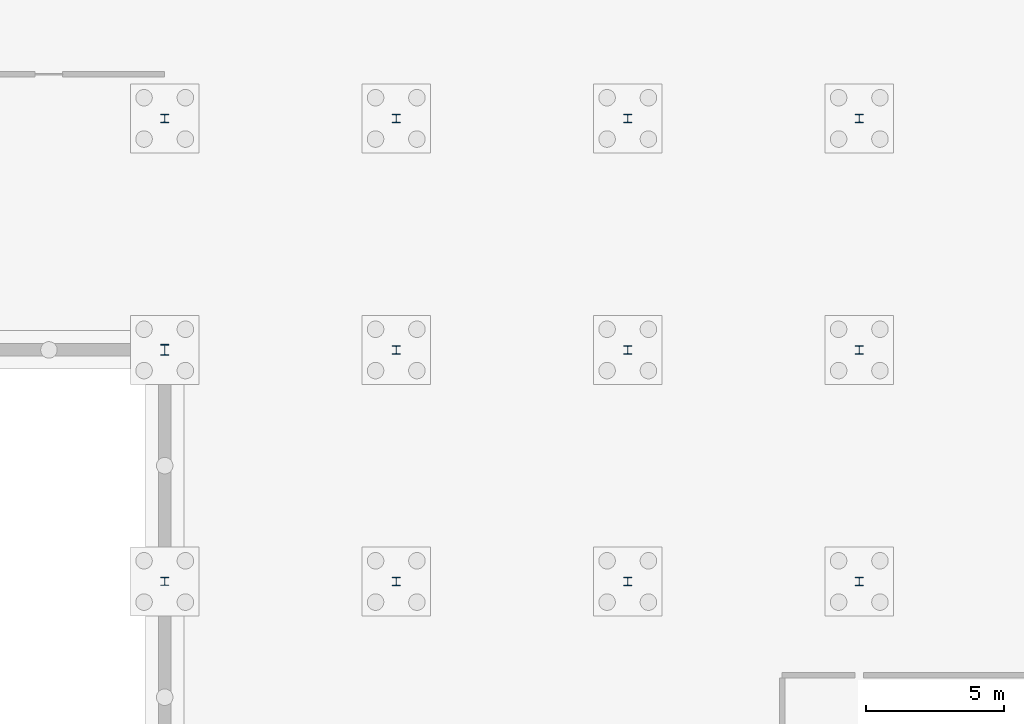
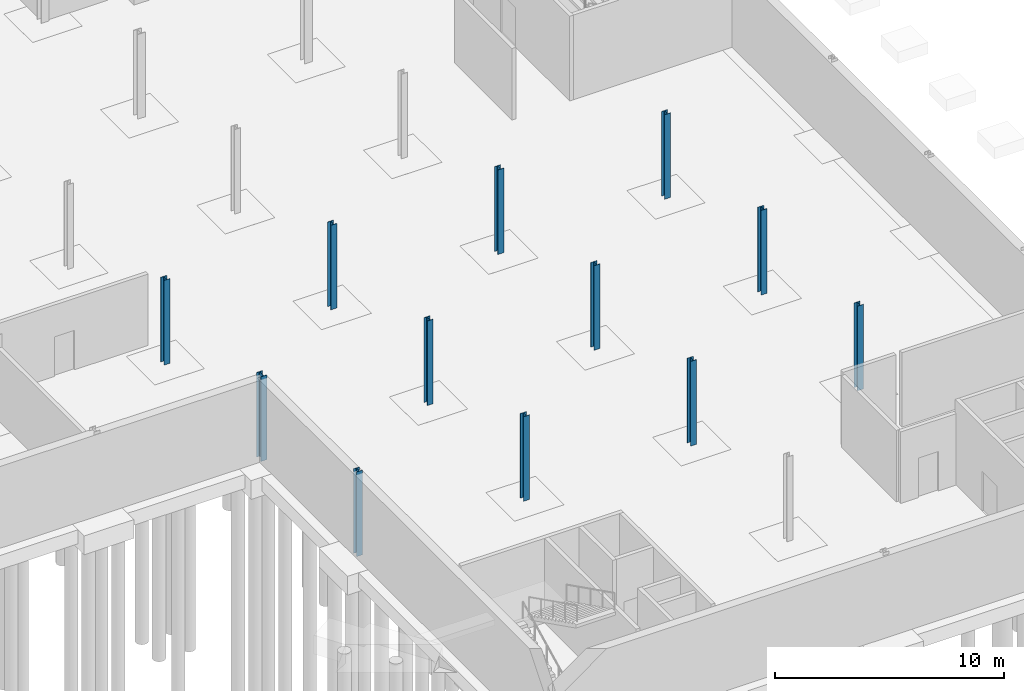
# One storey, part 10 of 35: 12 columns.
"""IFC4 building model written with IfcOpenShell, lengths in metres."""

from ifc_helpers import new_model, si_unit, direction, frame, origin, origin_2d, place, context, subcontext, project, spatial, i_section, extrude, material, material_profile, profile_set, type_object, element, save


model = new_model("IFC4")

# Units and contexts
model_context = context("Model", 3, precision=1e-05, world=origin(), true_north=direction((0.0, 1.0)))
body_context = subcontext(model_context, "Body", "Model", "MODEL_VIEW")
ifc_project = project(units=[si_unit("LENGTHUNIT", "METRE"), si_unit("AREAUNIT", "SQUARE_METRE"), si_unit("VOLUMEUNIT", "CUBIC_METRE"), si_unit("PLANEANGLEUNIT", "RADIAN"), si_unit("MASSUNIT", "GRAM", prefix="KILO")], contexts=[model_context])

# Site, building, storey
site_placement = place(None, origin())
site = spatial("IfcSite", under=ifc_project, at=site_placement, CompositionType="ELEMENT")
building_placement = place(site_placement, origin())
building = spatial("IfcBuilding", under=site, at=building_placement, Name="Ardhachandra Cancer Care Centre", CompositionType="ELEMENT")
storey_placement = place(building_placement, frame((0.0, 0.0, -4.5)))
storey = spatial("IfcBuildingStorey", under=building, at=storey_placement, Name="B1", CompositionType="ELEMENT", Elevation=-4.5)

# Columns
ifc_material_1 = material(Name="Steel E350 (IS 2062)", Category="steel")
ifc_material_profile_1 = material_profile(ifc_material_1, i_section(OverallWidth=0.300048828125, OverallDepth=0.300048828125, WebThickness=0.010986328125, FlangeThickness=0.01904296875, FilletRadius=0.027099609375, at=origin_2d()), Name="WPB 300x300x117.03")
ifc_profile_set_1 = profile_set([ifc_material_profile_1], Name="Steel E350 (IS 2062)")
column_type_1 = type_object("IfcColumnType", Name="Column WPB 300x300x117.03", PredefinedType="COLUMN", material=ifc_profile_set_1)
for number, where, z_axis, x_axis, name in (
    (1, (120.0, 46.199951171875, 0.0), (0.0, 0.0, 1.0), (1.0, 0.0, 0.0), "Column E14 B1"),
    (2, (128.39990234375, 46.199951171875, 0.0), (0.0, 0.0, 1.0), (1.0, 0.0, 0.0), "Column E15 B1"),
    (3, (136.800048828125, 46.199951171875, 0.0), (0.0, 0.0, 1.0), (1.0, 0.0, 0.0), "Column E16 B1"),
    (4, (120.0, 54.60009765625, 0.0), (0.0, 0.0, 1.0), (1.0, 0.0, 0.0), "Column F14 B1"),
    (5, (128.39990234375, 54.60009765625, 0.0), (0.0, 0.0, 1.0), (1.0, 0.0, 0.0), "Column F15 B1"),
    (6, (136.800048828125, 54.60009765625, 0.0), (0.0, 0.0, 1.0), (1.0, 0.0, 0.0), "Column F16 B1"),
    (7, (111.60009765625, 63.0, 0.0), (0.0, 0.0, 1.0), (1.0, 0.0, 0.0), "Column G13 B1"),
    (8, (120.0, 63.0, 0.0), (0.0, 0.0, 1.0), (1.0, 0.0, 0.0), "Column G14 B1"),
    (9, (128.39990234375, 63.0, 0.0), (0.0, 0.0, 1.0), (1.0, 0.0, 0.0), "Column G15 B1"),
    (10, (136.800048828125, 63.0, 0.0), (0.0, 0.0, 1.0), (1.0, 0.0, 0.0), "Column G16 B1"),
):
    element("IfcColumn", number, at=place(storey_placement, frame(where, z_axis=z_axis, x_axis=x_axis)), inside=storey, type_object=column_type_1, Name=name, PredefinedType="COLUMN", context=body_context, shape_type="SweptSolid", body=[
        extrude(i_section(OverallWidth=0.300048828125, OverallDepth=0.300048828125, WebThickness=0.010986328125, FlangeThickness=0.01904296875, FilletRadius=0.027099609375, at=origin_2d()), origin(), (0.0, 0.0, 1.0), 4.5),
    ])
ifc_material_2 = material(Name="Steel E350 (IS 2062)", Category="steel")
ifc_material_profile_2 = material_profile(ifc_material_2, i_section(OverallWidth=0.300048828125, OverallDepth=0.2900390625, WebThickness=0.008544921875, FlangeThickness=0.013916015625, FilletRadius=0.027099609375, at=origin_2d()), Name="WPB 300x300x88.33")
ifc_profile_set_2 = profile_set([ifc_material_profile_2], Name="Steel E350 (IS 2062)")
column_type_2 = type_object("IfcColumnType", Name="Column WPB 300x300x88.33", PredefinedType="COLUMN", material=ifc_profile_set_2)
column_1_placement = place(storey_placement, frame((111.60009765625, 46.199951171875, 0.0), z_axis=(0.0, 0.0, 1.0), x_axis=(1.0, 0.0, 0.0)))
element("IfcColumn", 11, at=column_1_placement, inside=storey, type_object=column_type_2, Name="Column E13 B1", PredefinedType="COLUMN", context=body_context, shape_type="SweptSolid", body=[
    extrude(i_section(OverallWidth=0.300048828125, OverallDepth=0.2900390625, WebThickness=0.008544921875, FlangeThickness=0.013916015625, FilletRadius=0.027099609375, at=origin_2d()), origin(), (0.0, 0.0, 1.0), 4.5),
])
ifc_material_3 = material(Name="Steel E350 (IS 2062)", Category="steel")
ifc_material_profile_3 = material_profile(ifc_material_3, i_section(OverallWidth=0.300048828125, OverallDepth=0.39990234375, WebThickness=0.013427734375, FlangeThickness=0.02392578125, FilletRadius=0.027099609375, at=origin_2d()), Name="WPB 400x300x155.26")
ifc_profile_set_3 = profile_set([ifc_material_profile_3], Name="Steel E350 (IS 2062)")
column_type_3 = type_object("IfcColumnType", Name="Column WPB 400x300x155.26", PredefinedType="COLUMN", material=ifc_profile_set_3)
column_2_placement = place(storey_placement, frame((111.60009765625, 54.60009765625, 0.0), z_axis=(0.0, 0.0, 1.0), x_axis=(1.0, 0.0, 0.0)))
element("IfcColumn", 12, at=column_2_placement, inside=storey, type_object=column_type_3, Name="Column F13 B1", PredefinedType="COLUMN", context=body_context, shape_type="SweptSolid", body=[
    extrude(i_section(OverallWidth=0.300048828125, OverallDepth=0.39990234375, WebThickness=0.013427734375, FlangeThickness=0.02392578125, FilletRadius=0.027099609375, at=origin_2d()), origin(), (0.0, 0.0, 1.0), 4.5),
])

save(model, "model.ifc")
